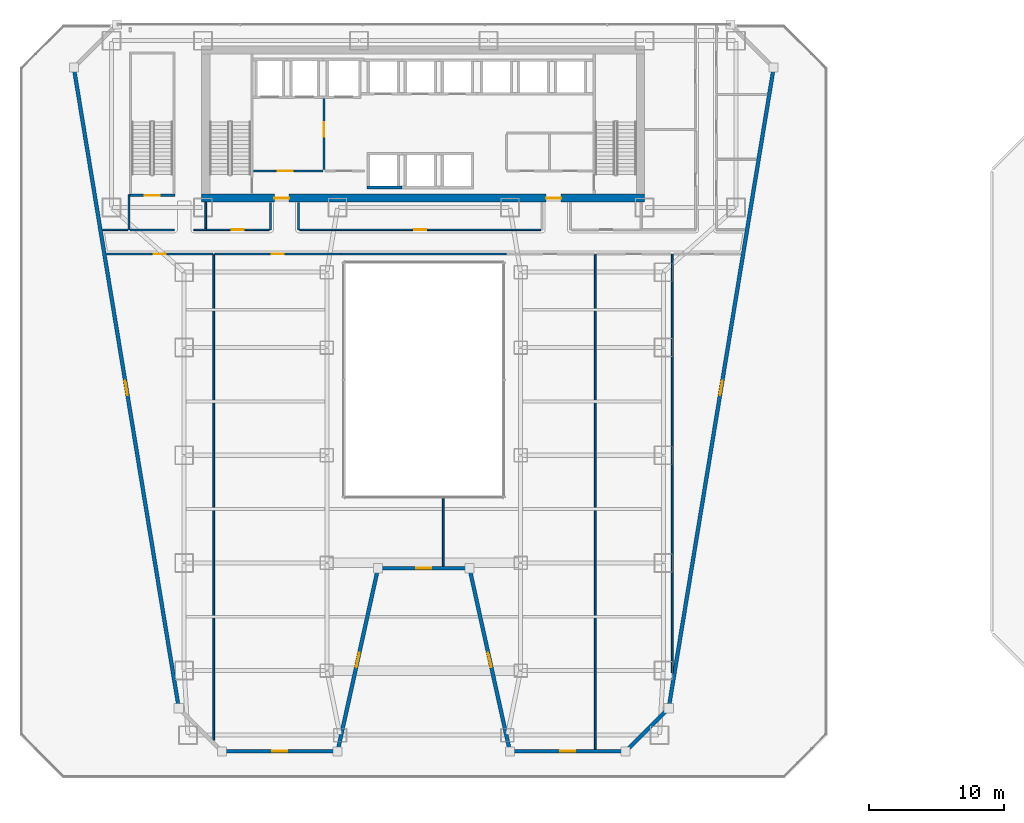
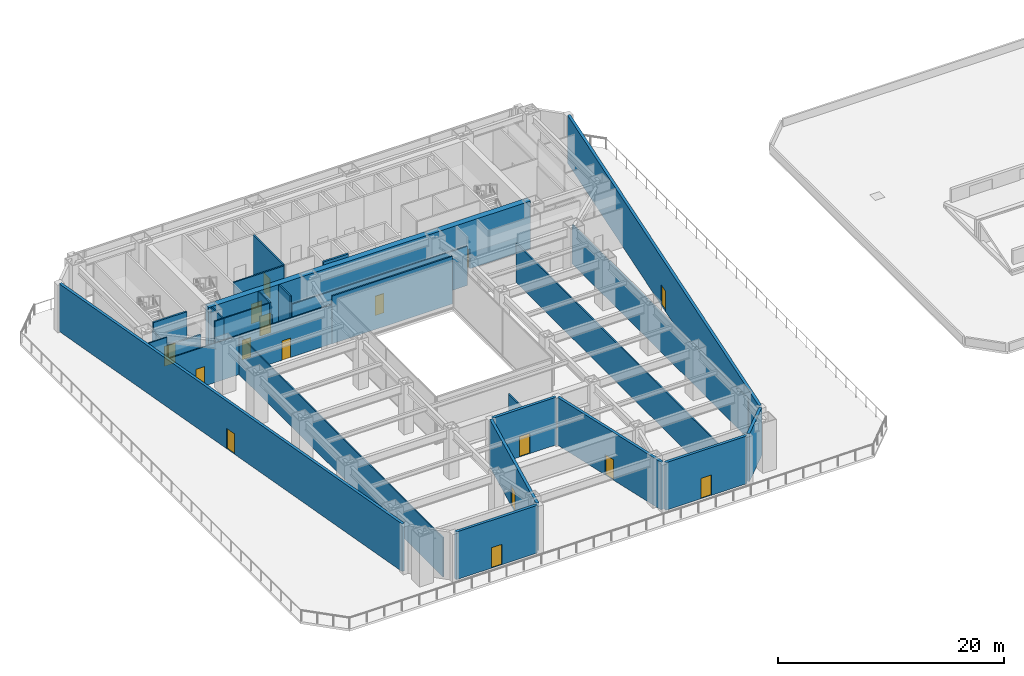
# One storey, part 21 of 29: 29 walls, 16 doors, 16 openings.
"""IFC4 building model written with IfcOpenShell, lengths in metres."""

from ifc_helpers import new_model, si_unit, direction, frame, frame_2d, origin, place, context, subcontext, project, spatial, rectangle, extrude, material, layer, layer_set, type_object, element, fill, save


model = new_model("IFC4")

# Units and contexts
model_context = context("Model", 3, precision=1e-05, world=origin(), true_north=direction((0.0, 1.0)))
body_context = subcontext(model_context, "Body", "Model", "MODEL_VIEW")
ifc_project = project(units=[si_unit("LENGTHUNIT", "METRE"), si_unit("AREAUNIT", "SQUARE_METRE"), si_unit("VOLUMEUNIT", "CUBIC_METRE"), si_unit("PLANEANGLEUNIT", "RADIAN"), si_unit("MASSUNIT", "GRAM", prefix="KILO")], contexts=[model_context])

# Site, building, storey
site_placement = place(None, origin())
site = spatial("IfcSite", under=ifc_project, at=site_placement, CompositionType="ELEMENT")
building_placement = place(site_placement, origin())
building = spatial("IfcBuilding", under=site, at=building_placement, Name="Saevonmaru Cultural Tower", CompositionType="ELEMENT")
storey_placement = place(building_placement, frame((0.0, 0.0, 27.60009765625)))
storey = spatial("IfcBuildingStorey", under=building, at=storey_placement, Name="L05", CompositionType="ELEMENT", Elevation=27.60009765625)

# Wall, openings, doors
ifc_material_1 = material(Name="Concrete C60/75", Category="concrete")
ifc_layer_1 = layer(ifc_material_1, 0.60009765625, Name="Concrete C60/75")
ifc_layer_set_1 = layer_set([ifc_layer_1], Name="Concrete C60/75")
wall_type_1 = type_object("IfcWallType", Name="WL-CORE-600", PredefinedType="SHEAR", material=ifc_layer_set_1)
wall_1_placement = place(storey_placement, frame((13.5, 43.10009765625, 0.0), z_axis=(0.0, 0.0, 1.0), x_axis=(1.0, 0.0, 0.0)))
wall_1 = element("IfcWall", 1, at=wall_1_placement, inside=storey, type_object=wall_type_1, Name="L05 Tower RC core shear wall S", PredefinedType="SHEAR", context=body_context, shape_type="SweptSolid", body=[
    extrude(rectangle(XDim=32.89990234375, YDim=0.60009765625, at=frame_2d((16.449951171875, 0.0))), origin(), (0.0, 0.0, 1.0), 5.14990234375),
])
opening_1_placement = place(wall_1_placement, frame((5.39990234375, 0.0, 0.0)))
opening_1 = element("IfcOpeningElement", 2, at=opening_1_placement, cuts=wall_1, Name="Opening FD-2", PredefinedType="OPENING", context=body_context, shape_type="SweptSolid", body=[
    extrude(rectangle(XDim=1.10009765625, YDim=2.14990234375, at=frame_2d((0.550048828125, 1.074951171875))), frame((0.0, 0.31005859375, 0.0), z_axis=(0.0, -1.0, 0.0), x_axis=(1.0, 0.0, 0.0)), (0.0, 0.0, 1.0), 0.6201171875),
])
opening_2_placement = place(wall_1_placement, frame((25.60009765625, 0.0, 0.0)))
opening_2 = element("IfcOpeningElement", 3, at=opening_2_placement, cuts=wall_1, Name="Opening FD-2", PredefinedType="OPENING", context=body_context, shape_type="SweptSolid", body=[
    extrude(rectangle(XDim=1.10009765625, YDim=2.14990234375, at=frame_2d((0.550048828125, 1.074951171875))), frame((0.0, 0.31005859375, 0.0), z_axis=(0.0, -1.0, 0.0), x_axis=(1.0, 0.0, 0.0)), (0.0, 0.0, 1.0), 0.6201171875),
])
ifc_material_2 = material(Name="Satin Bronze Anodised Aluminium", Category="aluminium")
door_type_1 = type_object("IfcDoorType", Name="DR-FD60-1100", OperationType="SINGLE_SWING_LEFT", PredefinedType="DOOR", material=ifc_material_2)
door_1_placement = place(opening_1_placement, origin())
door_1 = element("IfcDoor", 4, at=door_1_placement, inside=storey, type_object=door_type_1, Name="L05 Core West Lobby Fire Door", OperationType="SINGLE_SWING_LEFT", OverallHeight=2.14990234375, OverallWidth=1.10009765625, PredefinedType="DOOR", context=body_context, shape_type="SweptSolid", body=[
    extrude(rectangle(XDim=1.10009765625, YDim=2.14990234375, at=frame_2d((0.550048828125, 1.074951171875))), frame((0.0, 0.02490234375, 0.0), z_axis=(0.0, -1.0, 0.0), x_axis=(1.0, 0.0, 0.0)), (0.0, 0.0, 1.0), 0.050048828125),
])
fill(opening_1, door_1)
door_2_placement = place(opening_2_placement, origin())
door_2 = element("IfcDoor", 5, at=door_2_placement, inside=storey, type_object=door_type_1, Name="L05 Core East Lobby Fire Door", OperationType="SINGLE_SWING_LEFT", OverallHeight=2.14990234375, OverallWidth=1.10009765625, PredefinedType="DOOR", context=body_context, shape_type="SweptSolid", body=[
    extrude(rectangle(XDim=1.10009765625, YDim=2.14990234375, at=frame_2d((0.550048828125, 1.074951171875))), frame((0.0, 0.02490234375, 0.0), z_axis=(0.0, -1.0, 0.0), x_axis=(1.0, 0.0, 0.0)), (0.0, 0.0, 1.0), 0.050048828125),
])
fill(opening_2, door_2)

# Wall, opening, door
ifc_material_3 = material(Name="Gypsum Fireboard Partition", Category="gypsum")
ifc_layer_2 = layer(ifc_material_3, 0.14990234375, Name="Gypsum Fireboard Partition")
ifc_layer_set_2 = layer_set([ifc_layer_2], Name="Gypsum Fireboard Partition")
wall_type_2 = type_object("IfcWallType", Name="WL-CORE-PART-150", PredefinedType="PARTITIONING", material=ifc_layer_set_2)
wall_2_placement = place(storey_placement, frame((17.360107421875, 45.1201171875, 0.0), z_axis=(0.0, 0.0, 1.0), x_axis=(1.0, 0.0, 0.0)))
wall_2 = element("IfcWall", 6, at=wall_2_placement, inside=storey, type_object=wall_type_2, Name="L05 Firefighting Lift Lobby South Wall", PredefinedType="PARTITIONING", context=body_context, shape_type="SweptSolid", body=[
    extrude(rectangle(XDim=5.139892578125, YDim=0.14990234375, at=frame_2d((2.56982421875, 0.0))), origin(), (0.0, 0.0, 1.0), 5.14990234375),
])
opening_3_placement = place(wall_2_placement, frame((1.800048828125, 0.0, 0.0)))
opening_3 = element("IfcOpeningElement", 7, at=opening_3_placement, cuts=wall_2, Name="Opening FD-2", PredefinedType="OPENING", context=body_context, shape_type="SweptSolid", body=[
    extrude(rectangle(XDim=1.10009765625, YDim=2.14990234375, at=frame_2d((0.550048828125, 1.074951171875))), frame((0.0, 0.0849609375, 0.0), z_axis=(0.0, -1.0, 0.0), x_axis=(1.0, 0.0, 0.0)), (0.0, 0.0, 1.0), 0.169921875),
])
door_3_placement = place(opening_3_placement, origin())
door_3 = element("IfcDoor", 8, at=door_3_placement, inside=storey, type_object=door_type_1, Name="L05 Firefighting Lift Lobby South Door", OperationType="SINGLE_SWING_LEFT", OverallHeight=2.14990234375, OverallWidth=1.10009765625, PredefinedType="DOOR", context=body_context, shape_type="SweptSolid", body=[
    extrude(rectangle(XDim=1.10009765625, YDim=2.14990234375, at=frame_2d((0.550048828125, 1.074951171875))), frame((0.0, 0.02490234375, 0.0), z_axis=(0.0, -1.0, 0.0), x_axis=(1.0, 0.0, 0.0)), (0.0, 0.0, 1.0), 0.050048828125),
])
fill(opening_3, door_3)

wall_3_placement = place(storey_placement, frame((22.580078125, 50.550048828125, 0.0), z_axis=(0.0, 0.0, 1.0), x_axis=(0.0, -1.0, 0.0)))
wall_3 = element("IfcWall", 9, at=wall_3_placement, inside=storey, type_object=wall_type_2, Name="L05 Firefighting Lift Lobby East Wall", PredefinedType="PARTITIONING", context=body_context, shape_type="SweptSolid", body=[
    extrude(rectangle(XDim=5.330078125, YDim=0.14990234375, at=frame_2d((2.6650390625, 0.0))), origin(), (0.0, 0.0, 1.0), 5.14990234375),
])
opening_4_placement = place(wall_3_placement, frame((1.800048828125, 0.0, 0.0)))
opening_4 = element("IfcOpeningElement", 10, at=opening_4_placement, cuts=wall_3, Name="Opening FD-2", PredefinedType="OPENING", context=body_context, shape_type="SweptSolid", body=[
    extrude(rectangle(XDim=1.10009765625, YDim=2.14990234375, at=frame_2d((0.550048828125, 1.074951171875))), frame((0.0, 0.0849609375, 0.0), z_axis=(0.0, -1.0, 0.0), x_axis=(1.0, 0.0, 0.0)), (0.0, 0.0, 1.0), 0.169921875),
])
door_4_placement = place(opening_4_placement, origin())
door_4 = element("IfcDoor", 11, at=door_4_placement, inside=storey, type_object=door_type_1, Name="L05 Firefighting Lift Lobby East Door", OperationType="SINGLE_SWING_LEFT", OverallHeight=2.14990234375, OverallWidth=1.10009765625, PredefinedType="DOOR", context=body_context, shape_type="SweptSolid", body=[
    extrude(rectangle(XDim=1.10009765625, YDim=2.14990234375, at=frame_2d((0.550048828125, 1.074951171875))), frame((0.0, 0.02490234375, 0.0), z_axis=(0.0, -1.0, 0.0), x_axis=(1.0, 0.0, 0.0)), (0.0, 0.0, 1.0), 0.050048828125),
])
fill(opening_4, door_4)

ifc_material_4 = material(Name="Granite-Clad Precast Concrete C40/50", Category="masonry")
ifc_layer_3 = layer(ifc_material_4, 0.280029296875, Name="Granite-Clad Precast Concrete C40/50")
ifc_layer_set_3 = layer_set([ifc_layer_3], Name="Granite-Clad Precast Concrete C40/50")
wall_type_3 = type_object("IfcWallType", Name="WL-EXT-SPANDREL-280", PredefinedType="STANDARD", material=ifc_layer_set_3)
wall_4_placement = place(storey_placement, frame((15.159912109375, 2.0, 0.0), z_axis=(0.0, 0.0, 1.0), x_axis=(1.0, 0.0, 0.0)))
wall_4 = element("IfcWall", 12, at=wall_4_placement, inside=storey, type_object=wall_type_3, Name="L05 Setback Terrace Portal Wall E2", PredefinedType="STANDARD", context=body_context, shape_type="SweptSolid", body=[
    extrude(rectangle(XDim=8.280029296875, YDim=0.280029296875, at=frame_2d((4.14013671875, 0.0))), origin(), (0.0, 0.0, 1.0), 5.14990234375),
])
opening_5_placement = place(wall_4_placement, frame((3.590087890625, 0.0, 0.0)))
opening_5 = element("IfcOpeningElement", 13, at=opening_5_placement, cuts=wall_4, Name="Opening TD-1", PredefinedType="OPENING", context=body_context, shape_type="SweptSolid", body=[
    extrude(rectangle(XDim=1.10009765625, YDim=2.199951171875, at=frame_2d((0.550048828125, 1.10009765625))), frame((0.0, 0.14990234375, 0.0), z_axis=(0.0, -1.0, 0.0), x_axis=(1.0, 0.0, 0.0)), (0.0, 0.0, 1.0), 0.300048828125),
])
door_type_2 = type_object("IfcDoorType", Name="DR-TERR-1100", OperationType="SINGLE_SWING_LEFT", PredefinedType="DOOR", material=ifc_material_2)
door_5_placement = place(opening_5_placement, origin())
door_5 = element("IfcDoor", 14, at=door_5_placement, inside=storey, type_object=door_type_2, Name="L05 Sawtooth Roof Terrace Door E2", OperationType="SINGLE_SWING_LEFT", OverallHeight=2.199951171875, OverallWidth=1.10009765625, PredefinedType="DOOR", context=body_context, shape_type="SweptSolid", body=[
    extrude(rectangle(XDim=1.10009765625, YDim=2.199951171875, at=frame_2d((0.550048828125, 1.10009765625))), frame((0.0, 0.02490234375, 0.0), z_axis=(0.0, -1.0, 0.0), x_axis=(1.0, 0.0, 0.0)), (0.0, 0.0, 1.0), 0.050048828125),
])
fill(opening_5, door_5)

wall_5_placement = place(storey_placement, frame((23.634521484375, 2.15625, 0.0), z_axis=(0.0, 0.0, 1.0), x_axis=(0.215397075206, 0.976526548535, 0.0)))
wall_5 = element("IfcWall", 15, at=wall_5_placement, inside=storey, type_object=wall_type_3, Name="L05 Setback Terrace Portal Wall E3", PredefinedType="STANDARD", context=body_context, shape_type="SweptSolid", body=[
    extrude(rectangle(XDim=13.60693359375, YDim=0.280029296875, at=frame_2d((6.803466796875, 0.0))), origin(), (0.0, 0.0, 1.0), 5.14990234375),
])
opening_6_placement = place(wall_5_placement, frame((6.25390625, 0.0, 0.0)))
opening_6 = element("IfcOpeningElement", 16, at=opening_6_placement, cuts=wall_5, Name="Opening TD-1", PredefinedType="OPENING", context=body_context, shape_type="SweptSolid", body=[
    extrude(rectangle(XDim=1.10009765625, YDim=2.199951171875, at=frame_2d((0.550048828125, 1.10009765625))), frame((0.0, 0.14990234375, 0.0), z_axis=(0.0, -1.0, 0.0), x_axis=(1.0, 0.0, 0.0)), (0.0, 0.0, 1.0), 0.300048828125),
])
door_6_placement = place(opening_6_placement, origin())
door_6 = element("IfcDoor", 17, at=door_6_placement, inside=storey, type_object=door_type_2, Name="L05 Sawtooth Roof Terrace Door E3", OperationType="SINGLE_SWING_RIGHT", OverallHeight=2.199951171875, OverallWidth=1.10009765625, PredefinedType="DOOR", context=body_context, shape_type="SweptSolid", body=[
    extrude(rectangle(XDim=1.10009765625, YDim=2.199951171875, at=frame_2d((0.550048828125, 1.10009765625))), frame((0.0, 0.02490234375, 0.0), z_axis=(0.0, -1.0, 0.0), x_axis=(1.0, 0.0, 0.0)), (0.0, 0.0, 1.0), 0.050048828125),
])
fill(opening_6, door_6)

wall_6_placement = place(storey_placement, frame((26.760009765625, 15.60009765625, 0.0), z_axis=(0.0, 0.0, 1.0), x_axis=(1.0, 0.0, 0.0)))
wall_6 = element("IfcWall", 18, at=wall_6_placement, inside=storey, type_object=wall_type_3, Name="L05 Setback Terrace Portal Wall E4", PredefinedType="STANDARD", context=body_context, shape_type="SweptSolid", body=[
    extrude(rectangle(XDim=6.47998046875, YDim=0.280029296875, at=frame_2d((3.239990234375, 0.0))), origin(), (0.0, 0.0, 1.0), 5.14990234375),
])
opening_7_placement = place(wall_6_placement, frame((2.68994140625, 0.0, 0.0)))
opening_7 = element("IfcOpeningElement", 19, at=opening_7_placement, cuts=wall_6, Name="Opening TD-1", PredefinedType="OPENING", context=body_context, shape_type="SweptSolid", body=[
    extrude(rectangle(XDim=1.10009765625, YDim=2.199951171875, at=frame_2d((0.550048828125, 1.10009765625))), frame((0.0, 0.14990234375, 0.0), z_axis=(0.0, -1.0, 0.0), x_axis=(1.0, 0.0, 0.0)), (0.0, 0.0, 1.0), 0.300048828125),
])
door_7_placement = place(opening_7_placement, origin())
door_7 = element("IfcDoor", 20, at=door_7_placement, inside=storey, type_object=door_type_2, Name="L05 Sawtooth Roof Terrace Door E4", OperationType="SINGLE_SWING_LEFT", OverallHeight=2.199951171875, OverallWidth=1.10009765625, PredefinedType="DOOR", context=body_context, shape_type="SweptSolid", body=[
    extrude(rectangle(XDim=1.10009765625, YDim=2.199951171875, at=frame_2d((0.550048828125, 1.10009765625))), frame((0.0, 0.02490234375, 0.0), z_axis=(0.0, -1.0, 0.0), x_axis=(1.0, 0.0, 0.0)), (0.0, 0.0, 1.0), 0.050048828125),
])
fill(opening_7, door_7)

wall_7_placement = place(storey_placement, frame((33.4345703125, 15.44384765625, 0.0), z_axis=(0.0, 0.0, 1.0), x_axis=(0.215397075206, -0.976526548535, 0.0)))
wall_7 = element("IfcWall", 21, at=wall_7_placement, inside=storey, type_object=wall_type_3, Name="L05 Setback Terrace Portal Wall E5", PredefinedType="STANDARD", context=body_context, shape_type="SweptSolid", body=[
    extrude(rectangle(XDim=13.60693359375, YDim=0.280029296875, at=frame_2d((6.803466796875, 0.0))), origin(), (0.0, 0.0, 1.0), 5.14990234375),
])
opening_8_placement = place(wall_7_placement, frame((6.25390625, 0.0, 0.0)))
opening_8 = element("IfcOpeningElement", 22, at=opening_8_placement, cuts=wall_7, Name="Opening TD-1", PredefinedType="OPENING", context=body_context, shape_type="SweptSolid", body=[
    extrude(rectangle(XDim=1.10009765625, YDim=2.199951171875, at=frame_2d((0.550048828125, 1.10009765625))), frame((0.0, 0.14990234375, 0.0), z_axis=(0.0, -1.0, 0.0), x_axis=(1.0, 0.0, 0.0)), (0.0, 0.0, 1.0), 0.300048828125),
])
door_8_placement = place(opening_8_placement, origin())
door_8 = element("IfcDoor", 23, at=door_8_placement, inside=storey, type_object=door_type_2, Name="L05 Sawtooth Roof Terrace Door E5", OperationType="SINGLE_SWING_RIGHT", OverallHeight=2.199951171875, OverallWidth=1.10009765625, PredefinedType="DOOR", context=body_context, shape_type="SweptSolid", body=[
    extrude(rectangle(XDim=1.10009765625, YDim=2.199951171875, at=frame_2d((0.550048828125, 1.10009765625))), frame((0.0, 0.02490234375, 0.0), z_axis=(0.0, -1.0, 0.0), x_axis=(1.0, 0.0, 0.0)), (0.0, 0.0, 1.0), 0.050048828125),
])
fill(opening_8, door_8)

wall_8_placement = place(storey_placement, frame((36.56005859375, 2.0, 0.0), z_axis=(0.0, 0.0, 1.0), x_axis=(1.0, 0.0, 0.0)))
wall_8 = element("IfcWall", 24, at=wall_8_placement, inside=storey, type_object=wall_type_3, Name="L05 Setback Terrace Portal Wall E6", PredefinedType="STANDARD", context=body_context, shape_type="SweptSolid", body=[
    extrude(rectangle(XDim=8.280029296875, YDim=0.280029296875, at=frame_2d((4.14013671875, 0.0))), origin(), (0.0, 0.0, 1.0), 5.14990234375),
])
opening_9_placement = place(wall_8_placement, frame((3.590087890625, 0.0, 0.0)))
opening_9 = element("IfcOpeningElement", 25, at=opening_9_placement, cuts=wall_8, Name="Opening TD-1", PredefinedType="OPENING", context=body_context, shape_type="SweptSolid", body=[
    extrude(rectangle(XDim=1.10009765625, YDim=2.199951171875, at=frame_2d((0.550048828125, 1.10009765625))), frame((0.0, 0.14990234375, 0.0), z_axis=(0.0, -1.0, 0.0), x_axis=(1.0, 0.0, 0.0)), (0.0, 0.0, 1.0), 0.300048828125),
])
door_9_placement = place(opening_9_placement, origin())
door_9 = element("IfcDoor", 26, at=door_9_placement, inside=storey, type_object=door_type_2, Name="L05 Sawtooth Roof Terrace Door E6", OperationType="SINGLE_SWING_LEFT", OverallHeight=2.199951171875, OverallWidth=1.10009765625, PredefinedType="DOOR", context=body_context, shape_type="SweptSolid", body=[
    extrude(rectangle(XDim=1.10009765625, YDim=2.199951171875, at=frame_2d((0.550048828125, 1.10009765625))), frame((0.0, 0.02490234375, 0.0), z_axis=(0.0, -1.0, 0.0), x_axis=(1.0, 0.0, 0.0)), (0.0, 0.0, 1.0), 0.050048828125),
])
fill(opening_9, door_9)

# Wall
wall_9_placement = place(storey_placement, frame((45.113037109375, 2.113037109375, 0.0), z_axis=(0.0, 0.0, 1.0), x_axis=(0.707106781187, 0.707106781187, 0.0)))
element("IfcWall", 27, at=wall_9_placement, inside=storey, type_object=wall_type_3, Name="L05 Setback Terrace Portal Wall E7", PredefinedType="STANDARD", context=body_context, shape_type="SweptSolid", body=[
    extrude(rectangle(XDim=4.205810546875, YDim=0.280029296875, at=frame_2d((2.10302734375, 0.0))), origin(), (0.0, 0.0, 1.0), 5.14990234375),
])

# Wall, opening, door
wall_10_placement = place(storey_placement, frame((48.225830078125, 5.35791015625, 0.0), z_axis=(0.0, 0.0, 1.0), x_axis=(0.161709707857, 0.986838370953, 0.0)))
wall_10 = element("IfcWall", 28, at=wall_10_placement, inside=storey, type_object=wall_type_3, Name="L05 Setback Terrace Portal Wall E8", PredefinedType="STANDARD", context=body_context, shape_type="SweptSolid", body=[
    extrude(rectangle(XDim=47.914794921875, YDim=0.280029296875, at=frame_2d((23.95751953125, 0.0))), origin(), (0.0, 0.0, 1.0), 5.14990234375),
])
opening_10_placement = place(wall_10_placement, frame((23.406982421875, 0.0, 0.0)))
opening_10 = element("IfcOpeningElement", 29, at=opening_10_placement, cuts=wall_10, Name="Opening TD-1", PredefinedType="OPENING", context=body_context, shape_type="SweptSolid", body=[
    extrude(rectangle(XDim=1.10009765625, YDim=2.199951171875, at=frame_2d((0.550048828125, 1.10009765625))), frame((0.0, 0.14990234375, 0.0), z_axis=(0.0, -1.0, 0.0), x_axis=(1.0, 0.0, 0.0)), (0.0, 0.0, 1.0), 0.300048828125),
])
door_10_placement = place(opening_10_placement, origin())
door_10 = element("IfcDoor", 30, at=door_10_placement, inside=storey, type_object=door_type_2, Name="L05 Sawtooth Roof Terrace Door E8", OperationType="SINGLE_SWING_LEFT", OverallHeight=2.199951171875, OverallWidth=1.10009765625, PredefinedType="DOOR", context=body_context, shape_type="SweptSolid", body=[
    extrude(rectangle(XDim=1.10009765625, YDim=2.199951171875, at=frame_2d((0.550048828125, 1.10009765625))), frame((0.0, 0.02490234375, 0.0), z_axis=(0.0, -1.0, 0.0), x_axis=(1.0, 0.0, 0.0)), (0.0, 0.0, 1.0), 0.050048828125),
])
fill(opening_10, door_10)

wall_11_placement = place(storey_placement, frame((4.02587890625, 52.64208984375, 0.0), z_axis=(0.0, 0.0, 1.0), x_axis=(0.161709707857, -0.986838370953, 0.0)))
wall_11 = element("IfcWall", 31, at=wall_11_placement, inside=storey, type_object=wall_type_3, Name="L05 Setback Terrace Portal Wall E12", PredefinedType="STANDARD", context=body_context, shape_type="SweptSolid", body=[
    extrude(rectangle(XDim=47.914794921875, YDim=0.280029296875, at=frame_2d((23.95751953125, 0.0))), origin(), (0.0, 0.0, 1.0), 5.14990234375),
])
opening_11_placement = place(wall_11_placement, frame((23.406982421875, 0.0, 0.0)))
opening_11 = element("IfcOpeningElement", 32, at=opening_11_placement, cuts=wall_11, Name="Opening TD-1", PredefinedType="OPENING", context=body_context, shape_type="SweptSolid", body=[
    extrude(rectangle(XDim=1.10009765625, YDim=2.199951171875, at=frame_2d((0.550048828125, 1.10009765625))), frame((0.0, 0.14990234375, 0.0), z_axis=(0.0, -1.0, 0.0), x_axis=(1.0, 0.0, 0.0)), (0.0, 0.0, 1.0), 0.300048828125),
])
door_11_placement = place(opening_11_placement, origin())
door_11 = element("IfcDoor", 33, at=door_11_placement, inside=storey, type_object=door_type_2, Name="L05 Sawtooth Roof Terrace Door E12", OperationType="SINGLE_SWING_LEFT", OverallHeight=2.199951171875, OverallWidth=1.10009765625, PredefinedType="DOOR", context=body_context, shape_type="SweptSolid", body=[
    extrude(rectangle(XDim=1.10009765625, YDim=2.199951171875, at=frame_2d((0.550048828125, 1.10009765625))), frame((0.0, 0.02490234375, 0.0), z_axis=(0.0, -1.0, 0.0), x_axis=(1.0, 0.0, 0.0)), (0.0, 0.0, 1.0), 0.050048828125),
])
fill(opening_11, door_11)

# Walls
ifc_layer_4 = layer(ifc_material_3, 0.14990234375, Name="Gypsum Fireboard Partition")
ifc_layer_set_4 = layer_set([ifc_layer_4], Name="Gypsum Fireboard Partition")
wall_type_4 = type_object("IfcWallType", Name="WL-PART-FIRE-150", PredefinedType="PARTITIONING", material=ifc_layer_set_4)
wall_12_placement = place(storey_placement, frame((8.179931640625, 40.75, 0.0), z_axis=(0.0, 0.0, 1.0), x_axis=(1.0, 0.0, 0.0)))
element("IfcWall", 34, at=wall_12_placement, inside=storey, type_object=wall_type_4, Name="L05 Stair ST-3 South Vestibule Wall", PredefinedType="PARTITIONING", context=body_context, shape_type="SweptSolid", body=[
    extrude(rectangle(XDim=3.300048828125, YDim=0.14990234375, at=frame_2d((1.64990234375, 0.0))), origin(), (0.0, 0.0, 1.0), 4.23486328125),
])
for number, where, z_axis, x_axis, name in (
    (35, (18.60009765625, 40.75, 0.0), (0.0, 0.0, 1.0), (0.0, 1.0, 0.0), "L05 Core Portal Side Wall W1"),
    (36, (20.699951171875, 40.75, 0.0), (0.0, 0.0, 1.0), (0.0, 1.0, 0.0), "L05 Core Portal Side Wall W2"),
):
    element("IfcWall", number, at=place(storey_placement, frame(where, z_axis=z_axis, x_axis=x_axis)), inside=storey, type_object=wall_type_4, Name=name, PredefinedType="PARTITIONING", context=body_context, shape_type="SweptSolid", body=[
        extrude(rectangle(XDim=2.030029296875, YDim=0.14990234375, at=frame_2d((1.01513671875, 0.0))), origin(), (0.0, 0.0, 1.0), 5.14990234375),
    ])
wall_13_placement = place(storey_placement, frame((23.85009765625, 38.949951171875, 0.0), z_axis=(0.0, 0.0, 1.0), x_axis=(1.0, 0.0, 0.0)))
element("IfcWall", 37, at=wall_13_placement, inside=storey, type_object=wall_type_4, Name="L05 North Atrium Corridor Wall", PredefinedType="PARTITIONING", context=body_context, shape_type="SweptSolid", body=[
    extrude(rectangle(XDim=12.2998046875, YDim=0.14990234375, at=frame_2d((6.14990234375, 0.0))), origin(), (0.0, 0.0, 1.0), 5.14990234375),
])
ifc_layer_5 = layer(ifc_material_3, 0.1201171875, Name="Gypsum Fireboard Partition")
ifc_layer_set_5 = layer_set([ifc_layer_5], Name="Gypsum Fireboard Partition")
wall_type_5 = type_object("IfcWallType", Name="WL-PART-GYP-120", PredefinedType="PARTITIONING", material=ifc_layer_set_5)
wall_14_placement = place(storey_placement, frame((12.919921875, 40.75, 0.0), z_axis=(0.0, 0.0, 1.0), x_axis=(1.0, 0.0, 0.0)))
element("IfcWall", 38, at=wall_14_placement, inside=storey, type_object=wall_type_5, Name="L05 NW Inner South Wall", PredefinedType="PARTITIONING", context=body_context, shape_type="SweptSolid", body=[
    extrude(rectangle(XDim=0.93017578125, YDim=0.1201171875, at=frame_2d((0.465087890625, 0.0))), origin(), (0.0, 0.0, 1.0), 5.14990234375),
])
wall_15_placement = place(storey_placement, frame((13.800048828125, 40.830078125, 0.0), z_axis=(0.0, 0.0, 1.0), x_axis=(0.0, 1.0, 0.0)))
element("IfcWall", 39, at=wall_15_placement, inside=storey, type_object=wall_type_5, Name="L05 NW Inner Core Return", PredefinedType="PARTITIONING", context=body_context, shape_type="SweptSolid", body=[
    extrude(rectangle(XDim=1.949951171875, YDim=0.1201171875, at=frame_2d((0.97509765625, 0.0))), origin(), (0.0, 0.0, 1.0), 5.14990234375),
])
wall_16_placement = place(storey_placement, frame((8.10009765625, 40.75, 0.0), z_axis=(0.0, 0.0, 1.0), x_axis=(0.0, 1.0, 0.0)))
element("IfcWall", 40, at=wall_16_placement, inside=storey, type_object=wall_type_5, Name="L05 NW Stair Return", PredefinedType="PARTITIONING", context=body_context, shape_type="SweptSolid", body=[
    extrude(rectangle(XDim=2.60009765625, YDim=0.1201171875, at=frame_2d((1.300048828125, 0.0))), origin(), (0.0, 0.0, 1.0), 4.23486328125),
])
wall_17_placement = place(storey_placement, frame((6.13671875, 40.75, 0.0), z_axis=(0.0, 0.0, 1.0), x_axis=(1.0, 0.0, 0.0)))
element("IfcWall", 41, at=wall_17_placement, inside=storey, type_object=wall_type_5, Name="L05 Archival Conservation Office Corridor Wall", PredefinedType="PARTITIONING", context=body_context, shape_type="SweptSolid", body=[
    extrude(rectangle(XDim=1.88330078125, YDim=0.1201171875, at=frame_2d((0.941650390625, 0.0))), origin(), (0.0, 0.0, 1.0), 5.14990234375),
])

# Wall, opening, door
wall_18_placement = place(storey_placement, frame((13.85009765625, 40.75, 0.0), z_axis=(0.0, 0.0, 1.0), x_axis=(1.0, 0.0, 0.0)))
wall_18 = element("IfcWall", 42, at=wall_18_placement, inside=storey, type_object=wall_type_5, Name="L05 Curatorial Research Office Corridor Wall", PredefinedType="PARTITIONING", context=body_context, shape_type="SweptSolid", body=[
    extrude(rectangle(XDim=4.65478515625, YDim=0.1201171875, at=frame_2d((2.327392578125, 0.0))), origin(), (0.0, 0.0, 1.0), 5.14990234375),
])
opening_12_placement = place(wall_18_placement, frame((1.876953125, 0.0, 0.0)))
opening_12 = element("IfcOpeningElement", 43, at=opening_12_placement, cuts=wall_18, Name="Opening ID-2", PredefinedType="OPENING", context=body_context, shape_type="SweptSolid", body=[
    extrude(rectangle(XDim=0.89990234375, YDim=2.10009765625, at=frame_2d((0.449951171875, 1.050048828125))), frame((0.0, 0.070068359375, 0.0), z_axis=(0.0, -1.0, 0.0), x_axis=(1.0, 0.0, 0.0)), (0.0, 0.0, 1.0), 0.14013671875),
])
ifc_material_5 = material(Name="Acoustic Stained Oak Timber", Category="wood")
door_type_3 = type_object("IfcDoorType", Name="DR-INT-900", OperationType="SINGLE_SWING_RIGHT", PredefinedType="DOOR", material=ifc_material_5)
door_12_placement = place(opening_12_placement, origin())
door_12 = element("IfcDoor", 44, at=door_12_placement, inside=storey, type_object=door_type_3, Name="L05 Curatorial Research Office Door", OperationType="SINGLE_SWING_LEFT", OverallHeight=2.10009765625, OverallWidth=0.89990234375, PredefinedType="DOOR", context=body_context, shape_type="SweptSolid", body=[
    extrude(rectangle(XDim=0.89990234375, YDim=2.10009765625, at=frame_2d((0.449951171875, 1.050048828125))), frame((0.0, 0.02490234375, 0.0), z_axis=(0.0, -1.0, 0.0), x_axis=(1.0, 0.0, 0.0)), (0.0, 0.0, 1.0), 0.050048828125),
])
fill(opening_12, door_12)

wall_19_placement = place(storey_placement, frame((20.794921875, 40.75, 0.0), z_axis=(0.0, 0.0, 1.0), x_axis=(1.0, 0.0, 0.0)))
wall_19 = element("IfcWall", 45, at=wall_19_placement, inside=storey, type_object=wall_type_5, Name="L05 Archival Conservation Office Corridor Wall", PredefinedType="PARTITIONING", context=body_context, shape_type="SweptSolid", body=[
    extrude(rectangle(XDim=17.91015625, YDim=0.1201171875, at=frame_2d((8.955078125, 0.0))), origin(), (0.0, 0.0, 1.0), 4.23486328125),
])
opening_13_placement = place(wall_19_placement, frame((8.5048828125, 0.0, 0.0)))
opening_13 = element("IfcOpeningElement", 46, at=opening_13_placement, cuts=wall_19, Name="Opening ID-2", PredefinedType="OPENING", context=body_context, shape_type="SweptSolid", body=[
    extrude(rectangle(XDim=0.89990234375, YDim=2.10009765625, at=frame_2d((0.449951171875, 1.050048828125))), frame((0.0, 0.070068359375, 0.0), z_axis=(0.0, -1.0, 0.0), x_axis=(1.0, 0.0, 0.0)), (0.0, 0.0, 1.0), 0.14013671875),
])
door_13_placement = place(opening_13_placement, origin())
door_13 = element("IfcDoor", 47, at=door_13_placement, inside=storey, type_object=door_type_3, Name="L05 Archival Conservation Office Door", OperationType="SINGLE_SWING_RIGHT", OverallHeight=2.10009765625, OverallWidth=0.89990234375, PredefinedType="DOOR", context=body_context, shape_type="SweptSolid", body=[
    extrude(rectangle(XDim=0.89990234375, YDim=2.10009765625, at=frame_2d((0.449951171875, 1.050048828125))), frame((0.0, 0.02490234375, 0.0), z_axis=(0.0, -1.0, 0.0), x_axis=(1.0, 0.0, 0.0)), (0.0, 0.0, 1.0), 0.050048828125),
])
fill(opening_13, door_13)

# Walls
wall_20_placement = place(storey_placement, frame((14.39990234375, 2.826416015625, 0.0), z_axis=(0.0, 0.0, 1.0), x_axis=(0.0, 1.0, 0.0)))
element("IfcWall", 48, at=wall_20_placement, inside=storey, type_object=wall_type_5, Name="L05 West Bay Divider 1", PredefinedType="PARTITIONING", context=body_context, shape_type="SweptSolid", body=[
    extrude(rectangle(XDim=36.12353515625, YDim=0.1201171875, at=frame_2d((18.061767578125, 0.0))), origin(), (0.0, 0.0, 1.0), 4.23486328125),
])
wall_21_placement = place(storey_placement, frame((31.449951171875, 15.760009765625, 0.0), z_axis=(0.0, 0.0, 1.0), x_axis=(0.0, 1.0, 0.0)))
element("IfcWall", 49, at=wall_21_placement, inside=storey, type_object=wall_type_5, Name="L05 South Atrium Center Split", PredefinedType="PARTITIONING", context=body_context, shape_type="SweptSolid", body=[
    extrude(rectangle(XDim=5.02001953125, YDim=0.1201171875, at=frame_2d((2.510009765625, 0.0))), origin(), (0.0, 0.0, 1.0), 2.934814453125),
])

# Wall, opening, door
wall_22_placement = place(storey_placement, frame((6.431640625, 38.949951171875, 0.0), z_axis=(0.0, 0.0, 1.0), x_axis=(1.0, 0.0, 0.0)))
wall_22 = element("IfcWall", 50, at=wall_22_placement, inside=storey, type_object=wall_type_5, Name="L05 Curatorial Research Office Corridor Wall", PredefinedType="PARTITIONING", context=body_context, shape_type="SweptSolid", body=[
    extrude(rectangle(XDim=7.888427734375, YDim=0.1201171875, at=frame_2d((3.9443359375, 0.0))), origin(), (0.0, 0.0, 1.0), 4.23486328125),
])
opening_14_placement = place(wall_22_placement, frame((3.493896484375, 0.0, 0.0)))
opening_14 = element("IfcOpeningElement", 51, at=opening_14_placement, cuts=wall_22, Name="Opening ID-2", PredefinedType="OPENING", context=body_context, shape_type="SweptSolid", body=[
    extrude(rectangle(XDim=0.89990234375, YDim=2.10009765625, at=frame_2d((0.449951171875, 1.050048828125))), frame((0.0, 0.070068359375, 0.0), z_axis=(0.0, -1.0, 0.0), x_axis=(1.0, 0.0, 0.0)), (0.0, 0.0, 1.0), 0.14013671875),
])
door_14_placement = place(opening_14_placement, origin())
door_14 = element("IfcDoor", 52, at=door_14_placement, inside=storey, type_object=door_type_3, Name="L05 Curatorial Research Office Door", OperationType="SINGLE_SWING_RIGHT", OverallHeight=2.10009765625, OverallWidth=0.89990234375, PredefinedType="DOOR", context=body_context, shape_type="SweptSolid", body=[
    extrude(rectangle(XDim=0.89990234375, YDim=2.10009765625, at=frame_2d((0.449951171875, 1.050048828125))), frame((0.0, 0.02490234375, 0.0), z_axis=(0.0, -1.0, 0.0), x_axis=(1.0, 0.0, 0.0)), (0.0, 0.0, 1.0), 0.050048828125),
])
fill(opening_14, door_14)

wall_23_placement = place(storey_placement, frame((14.47998046875, 38.949951171875, 0.0), z_axis=(0.0, 0.0, 1.0), x_axis=(1.0, 0.0, 0.0)))
wall_23 = element("IfcWall", 53, at=wall_23_placement, inside=storey, type_object=wall_type_5, Name="L05 Archival Conservation Office Corridor Wall", PredefinedType="PARTITIONING", context=body_context, shape_type="SweptSolid", body=[
    extrude(rectangle(XDim=9.3701171875, YDim=0.1201171875, at=frame_2d((4.68505859375, 0.0))), origin(), (0.0, 0.0, 1.0), 4.23486328125),
])
opening_15_placement = place(wall_23_placement, frame((4.235107421875, 0.0, 0.0)))
opening_15 = element("IfcOpeningElement", 54, at=opening_15_placement, cuts=wall_23, Name="Opening ID-2", PredefinedType="OPENING", context=body_context, shape_type="SweptSolid", body=[
    extrude(rectangle(XDim=0.89990234375, YDim=2.10009765625, at=frame_2d((0.449951171875, 1.050048828125))), frame((0.0, 0.070068359375, 0.0), z_axis=(0.0, -1.0, 0.0), x_axis=(1.0, 0.0, 0.0)), (0.0, 0.0, 1.0), 0.14013671875),
])
door_15_placement = place(opening_15_placement, origin())
door_15 = element("IfcDoor", 55, at=door_15_placement, inside=storey, type_object=door_type_3, Name="L05 Archival Conservation Office Door", OperationType="SINGLE_SWING_LEFT", OverallHeight=2.10009765625, OverallWidth=0.89990234375, PredefinedType="DOOR", context=body_context, shape_type="SweptSolid", body=[
    extrude(rectangle(XDim=0.89990234375, YDim=2.10009765625, at=frame_2d((0.449951171875, 1.050048828125))), frame((0.0, 0.02490234375, 0.0), z_axis=(0.0, -1.0, 0.0), x_axis=(1.0, 0.0, 0.0)), (0.0, 0.0, 1.0), 0.050048828125),
])
fill(opening_15, door_15)

# Walls
ifc_layer_6 = layer(ifc_material_3, 0.135009765625, Name="Gypsum Fireboard Partition")
ifc_layer_set_6 = layer_set([ifc_layer_6], Name="Gypsum Fireboard Partition")
wall_type_6 = type_object("IfcWallType", Name="WL-PART-GYP-135", PredefinedType="PARTITIONING", material=ifc_layer_set_6)
wall_24_placement = place(storey_placement, frame((42.739990234375, 2.159912109375, 0.0), z_axis=(0.0, 0.0, 1.0), x_axis=(0.0, 1.0, 0.0)))
element("IfcWall", 56, at=wall_24_placement, inside=storey, type_object=wall_type_6, Name="L05 East Bay Divider 1", PredefinedType="PARTITIONING", context=body_context, shape_type="SweptSolid", body=[
    extrude(rectangle(XDim=36.7900390625, YDim=0.135009765625, at=frame_2d((18.39501953125, 0.0))), origin(), (0.0, 0.0, 1.0), 4.23486328125),
])
wall_25_placement = place(storey_placement, frame((48.469970703125, 7.8369140625, 0.0), z_axis=(0.0, 0.0, 1.0), x_axis=(0.0, 1.0, 0.0)))
element("IfcWall", 57, at=wall_25_placement, inside=storey, type_object=wall_type_6, Name="L05 East Bay Divider 2", PredefinedType="PARTITIONING", context=body_context, shape_type="SweptSolid", body=[
    extrude(rectangle(XDim=31.113037109375, YDim=0.135009765625, at=frame_2d((15.556640625, 0.0))), origin(), (0.0, 0.0, 1.0), 4.23486328125),
])
ifc_material_6 = material(Name="Concrete C40/50", Category="concrete")
ifc_layer_7 = layer(ifc_material_6, 0.199951171875, Name="Concrete C40/50")
ifc_layer_set_7 = layer_set([ifc_layer_7], Name="Concrete C40/50")
wall_type_7 = type_object("IfcWallType", Name="WL-SHAFT-200", PredefinedType="SHEAR", material=ifc_layer_set_7)
wall_26_placement = place(storey_placement, frame((25.800048828125, 43.89990234375, 0.0), z_axis=(0.0, 0.0, 1.0), x_axis=(1.0, 0.0, 0.0)))
element("IfcWall", 58, at=wall_26_placement, inside=storey, type_object=wall_type_7, Name="L05 Lift PL-M1 Hoistway Wall S", PredefinedType="SHEAR", context=body_context, shape_type="SweptSolid", body=[
    extrude(rectangle(XDim=2.574951171875, YDim=0.199951171875, at=frame_2d((1.28759765625, 0.0))), origin(), (0.0, 0.0, 1.0), 5.14990234375),
])

# Wall, opening, door
ifc_layer_8 = layer(ifc_material_6, 0.179931640625, Name="Concrete C40/50")
ifc_layer_set_8 = layer_set([ifc_layer_8], Name="Concrete C40/50")
wall_type_8 = type_object("IfcWallType", Name="WL-STSHAFT-180", PredefinedType="SHEAR", material=ifc_layer_set_8)
wall_27_placement = place(storey_placement, frame((8.1201171875, 43.31005859375, 0.0), z_axis=(0.0, 0.0, 1.0), x_axis=(1.0, 0.0, 0.0)))
wall_27 = element("IfcWall", 59, at=wall_27_placement, inside=storey, type_object=wall_type_8, Name="L05 Stair ST-3 Structural Shaft Wall 1", PredefinedType="SHEAR", context=body_context, shape_type="SweptSolid", body=[
    extrude(rectangle(XDim=3.409912109375, YDim=0.179931640625, at=frame_2d((1.705078125, 0.0))), origin(), (0.0, 0.0, 1.0), 5.14990234375),
])
opening_16_placement = place(wall_27_placement, frame((1.14990234375, 0.0, 0.0)))
opening_16 = element("IfcOpeningElement", 60, at=opening_16_placement, cuts=wall_27, Name="Opening FD-2", PredefinedType="OPENING", context=body_context, shape_type="SweptSolid", body=[
    extrude(rectangle(XDim=1.10009765625, YDim=2.14990234375, at=frame_2d((0.550048828125, 1.074951171875))), frame((0.0, 0.10009765625, 0.0), z_axis=(0.0, -1.0, 0.0), x_axis=(1.0, 0.0, 0.0)), (0.0, 0.0, 1.0), 0.199951171875),
])
door_16_placement = place(opening_16_placement, origin())
door_16 = element("IfcDoor", 61, at=door_16_placement, inside=storey, type_object=door_type_1, Name="L05 Protected Stair ST-3 Fire Door", OperationType="SINGLE_SWING_LEFT", OverallHeight=2.14990234375, OverallWidth=1.10009765625, PredefinedType="DOOR", context=body_context, shape_type="SweptSolid", body=[
    extrude(rectangle(XDim=1.10009765625, YDim=2.14990234375, at=frame_2d((0.550048828125, 1.074951171875))), frame((0.0, 0.02490234375, 0.0), z_axis=(0.0, -1.0, 0.0), x_axis=(1.0, 0.0, 0.0)), (0.0, 0.0, 1.0), 0.050048828125),
])
fill(opening_16, door_16)

save(model, "model.ifc")
